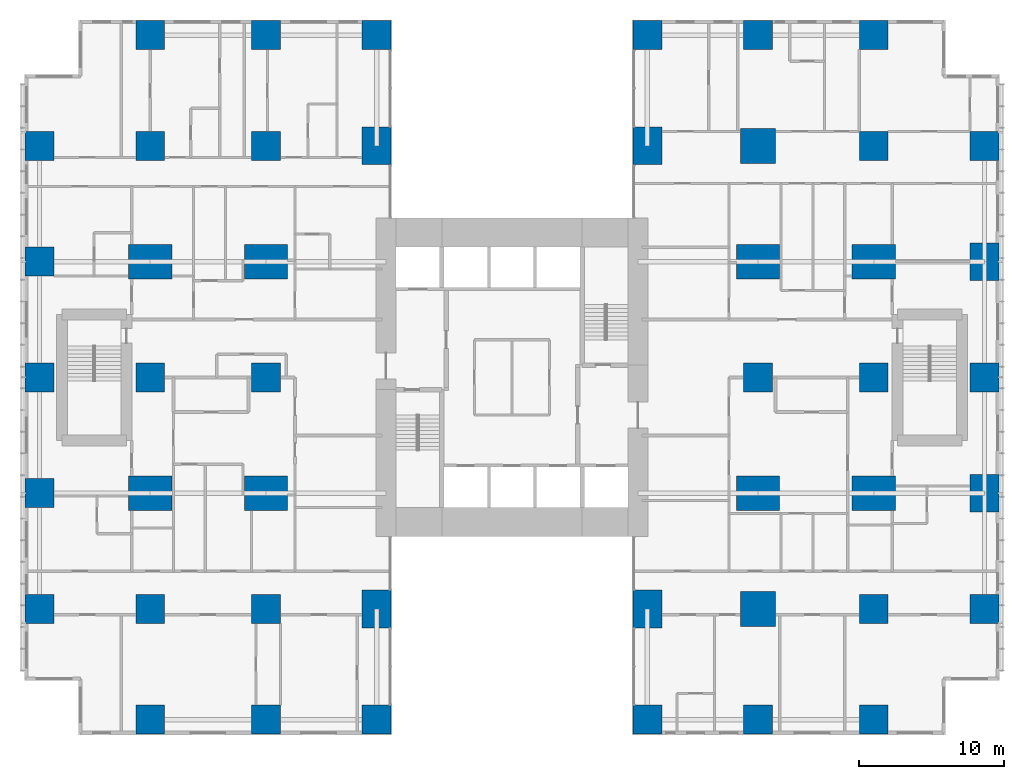
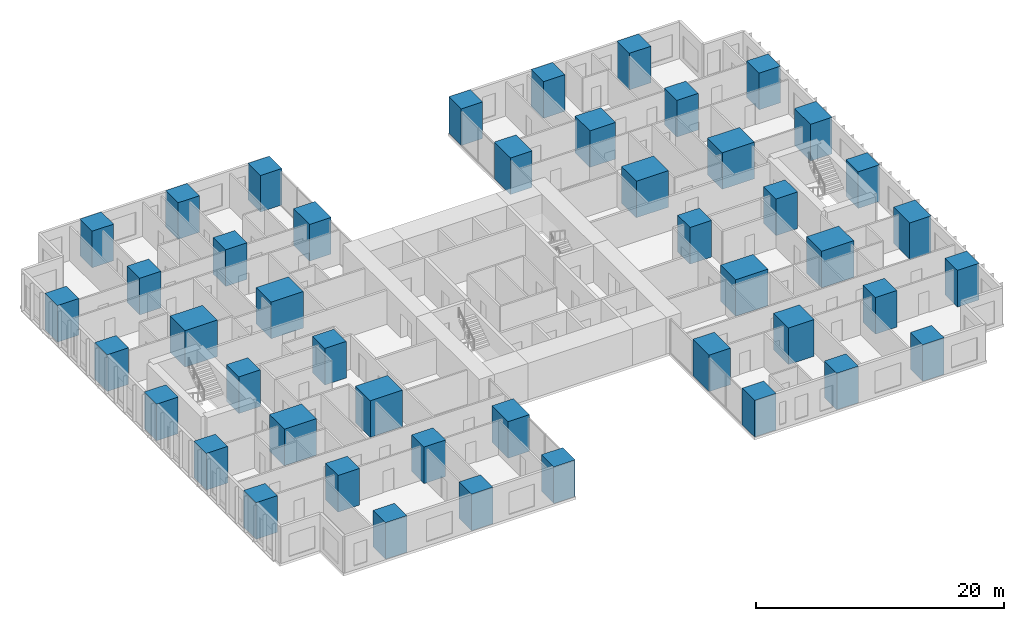
# One storey, part 1 of 20: 46 columns.
"""IFC4 building model written with IfcOpenShell, lengths in metres."""

from ifc_helpers import new_model, si_unit, direction, frame, origin, origin_2d, place, context, subcontext, project, spatial, rectangle, extrude, material, material_profile, profile_set, type_object, element, save


model = new_model("IFC4")

# Units and contexts
model_context = context("Model", 3, precision=1e-05, world=origin(), true_north=direction((0.0, 1.0)))
body_context = subcontext(model_context, "Body", "Model", "MODEL_VIEW")
ifc_project = project(units=[si_unit("LENGTHUNIT", "METRE"), si_unit("AREAUNIT", "SQUARE_METRE"), si_unit("VOLUMEUNIT", "CUBIC_METRE"), si_unit("PLANEANGLEUNIT", "RADIAN"), si_unit("MASSUNIT", "GRAM", prefix="KILO")], contexts=[model_context])

# Site, building, storey
site_placement = place(None, origin())
site = spatial("IfcSite", under=ifc_project, at=site_placement, CompositionType="ELEMENT")
building_placement = place(site_placement, origin())
building = spatial("IfcBuilding", under=site, at=building_placement, Name="Cleftline Residences", CompositionType="ELEMENT")
storey_placement = place(building_placement, frame((0.0, 0.0, 114.199951171875)))
storey = spatial("IfcBuildingStorey", under=building, at=storey_placement, Name="L29", CompositionType="ELEMENT", Elevation=114.199951171875)

# Columns
ifc_material_1 = material(Name="Concrete B70", Category="concrete")
ifc_material_profile_1 = material_profile(ifc_material_1, rectangle(XDim=2.0, YDim=2.0, at=origin_2d()))
ifc_profile_set_1 = profile_set([ifc_material_profile_1], Name="Concrete B70")
column_type_1 = type_object("IfcColumnType", Name="COLUMN RC2000X2000", PredefinedType="COLUMN", material=ifc_profile_set_1)
for number, where, z_axis, x_axis, name in (
    (1, (0.35009765625, 8.0, 0.0), (0.0, 0.0, 1.0), (1.0, 0.0, 0.0), "Column D/3"),
    (2, (0.35009765625, 16.0, 0.0), (0.0, 0.0, 1.0), (1.0, 0.0, 0.0), "Column E/3"),
    (3, (0.35009765625, 24.0, 0.0), (0.0, 0.0, 1.0), (1.0, 0.0, 0.0), "Column F/3"),
    (4, (0.35009765625, 32.0, 0.0), (0.0, 0.0, 1.0), (1.0, 0.0, 0.0), "Column G/3"),
    (5, (0.35009765625, 40.0, 0.0), (0.0, 0.0, 1.0), (1.0, 0.0, 0.0), "Column H/3"),
    (6, (8.0, 0.35009765625, 0.0), (0.0, 0.0, 1.0), (1.0, 0.0, 0.0), "Column C/4"),
    (7, (8.0, 8.0, 0.0), (0.0, 0.0, 1.0), (1.0, 0.0, 0.0), "Column D/4"),
    (8, (8.0, 24.0, 0.0), (0.0, 0.0, 1.0), (1.0, 0.0, 0.0), "Column F/4"),
    (9, (8.0, 40.0, 0.0), (0.0, 0.0, 1.0), (1.0, 0.0, 0.0), "Column H/4"),
    (10, (8.0, 47.64990234375, 0.0), (0.0, 0.0, 1.0), (1.0, 0.0, 0.0), "Column J/4"),
    (11, (16.0, 0.35009765625, 0.0), (0.0, 0.0, 1.0), (1.0, 0.0, 0.0), "Column C/5"),
    (12, (16.0, 8.0, 0.0), (0.0, 0.0, 1.0), (1.0, 0.0, 0.0), "Column D/5"),
    (13, (16.0, 24.0, 0.0), (0.0, 0.0, 1.0), (1.0, 0.0, 0.0), "Column F/5"),
    (14, (16.0, 40.0, 0.0), (0.0, 0.0, 1.0), (1.0, 0.0, 0.0), "Column H/5"),
    (15, (16.0, 47.64990234375, 0.0), (0.0, 0.0, 1.0), (1.0, 0.0, 0.0), "Column J/5"),
    (16, (23.64990234375, 0.35009765625, 0.0), (0.0, 0.0, 1.0), (1.0, 0.0, 0.0), "Column C/6"),
    (17, (23.64990234375, 47.64990234375, 0.0), (0.0, 0.0, 1.0), (1.0, 0.0, 0.0), "Column J/6"),
    (18, (42.35009765625, 0.35009765625, 0.0), (0.0, 0.0, 1.0), (1.0, 0.0, 0.0), "Column C/8"),
    (19, (42.35009765625, 47.64990234375, 0.0), (0.0, 0.0, 1.0), (1.0, 0.0, 0.0), "Column J/8"),
    (20, (50.0, 0.35009765625, 0.0), (0.0, 0.0, 1.0), (1.0, 0.0, 0.0), "Column C/9"),
    (21, (50.0, 24.0, 0.0), (0.0, 0.0, 1.0), (1.0, 0.0, 0.0), "Column F/9"),
    (22, (50.0, 47.64990234375, 0.0), (0.0, 0.0, 1.0), (1.0, 0.0, 0.0), "Column J/9"),
    (23, (58.0, 0.35009765625, 0.0), (0.0, 0.0, 1.0), (1.0, 0.0, 0.0), "Column C/10"),
    (24, (58.0, 8.0, 0.0), (0.0, 0.0, 1.0), (1.0, 0.0, 0.0), "Column D/10"),
    (25, (58.0, 24.0, 0.0), (0.0, 0.0, 1.0), (1.0, 0.0, 0.0), "Column F/10"),
    (26, (58.0, 40.0, 0.0), (0.0, 0.0, 1.0), (1.0, 0.0, 0.0), "Column H/10"),
    (27, (58.0, 47.64990234375, 0.0), (0.0, 0.0, 1.0), (1.0, 0.0, 0.0), "Column J/10"),
    (28, (65.64990234375, 8.0, 0.0), (0.0, 0.0, 1.0), (1.0, 0.0, 0.0), "Column D/11"),
    (29, (65.64990234375, 24.0, 0.0), (0.0, 0.0, 1.0), (1.0, 0.0, 0.0), "Column F/11"),
    (30, (65.64990234375, 40.0, 0.0), (0.0, 0.0, 1.0), (1.0, 0.0, 0.0), "Column H/11"),
):
    element("IfcColumn", number, at=place(storey_placement, frame(where, z_axis=z_axis, x_axis=x_axis)), inside=storey, type_object=column_type_1, Name=name, PredefinedType="COLUMN", context=body_context, shape_type="SweptSolid", body=[
        extrude(rectangle(XDim=2.0, YDim=2.0, at=origin_2d()), origin(), (0.0, 0.0, 1.0), 3.60009765625),
    ])
ifc_material_2 = material(Name="Concrete B70", Category="concrete")
ifc_material_profile_2 = material_profile(ifc_material_2, rectangle(XDim=2.0, YDim=2.60009765625, at=origin_2d()))
ifc_profile_set_2 = profile_set([ifc_material_profile_2], Name="Concrete B70")
column_type_2 = type_object("IfcColumnType", Name="COLUMN RC2000X2600", PredefinedType="COLUMN", material=ifc_profile_set_2)
for number, where, z_axis, x_axis, name in (
    (31, (23.64990234375, 8.0, 0.0), (0.0, 0.0, 1.0), (1.0, 0.0, 0.0), "Column D/6"),
    (32, (23.64990234375, 40.0, 0.0), (0.0, 0.0, 1.0), (1.0, 0.0, 0.0), "Column H/6"),
    (33, (42.35009765625, 8.0, 0.0), (0.0, 0.0, 1.0), (1.0, 0.0, 0.0), "Column D/8"),
    (34, (42.35009765625, 40.0, 0.0), (0.0, 0.0, 1.0), (1.0, 0.0, 0.0), "Column H/8"),
):
    element("IfcColumn", number, at=place(storey_placement, frame(where, z_axis=z_axis, x_axis=x_axis)), inside=storey, type_object=column_type_2, Name=name, PredefinedType="COLUMN", context=body_context, shape_type="SweptSolid", body=[
        extrude(rectangle(XDim=2.0, YDim=2.60009765625, at=origin_2d()), origin(), (0.0, 0.0, 1.0), 3.60009765625),
    ])
ifc_material_3 = material(Name="Concrete B70", Category="concrete")
ifc_material_profile_3 = material_profile(ifc_material_3, rectangle(XDim=2.39990234375, YDim=2.39990234375, at=origin_2d()))
ifc_profile_set_3 = profile_set([ifc_material_profile_3], Name="Concrete B70")
column_type_3 = type_object("IfcColumnType", Name="COLUMN RC2400X2400", PredefinedType="COLUMN", material=ifc_profile_set_3)
for number, where, z_axis, x_axis, name in (
    (35, (50.0, 8.0, 0.0), (0.0, 0.0, 1.0), (1.0, 0.0, 0.0), "Column D/9"),
    (36, (50.0, 40.0, 0.0), (0.0, 0.0, 1.0), (1.0, 0.0, 0.0), "Column H/9"),
):
    element("IfcColumn", number, at=place(storey_placement, frame(where, z_axis=z_axis, x_axis=x_axis)), inside=storey, type_object=column_type_3, Name=name, PredefinedType="COLUMN", context=body_context, shape_type="SweptSolid", body=[
        extrude(rectangle(XDim=2.39990234375, YDim=2.39990234375, at=origin_2d()), origin(), (0.0, 0.0, 1.0), 3.60009765625),
    ])
ifc_material_4 = material(Name="Concrete B70", Category="concrete")
ifc_material_profile_4 = material_profile(ifc_material_4, rectangle(XDim=2.60009765625, YDim=2.0, at=origin_2d()))
ifc_profile_set_4 = profile_set([ifc_material_profile_4], Name="Concrete B70")
column_type_4 = type_object("IfcColumnType", Name="COLUMN RC2600X2000", PredefinedType="COLUMN", material=ifc_profile_set_4)
for number, where, z_axis, x_axis, name in (
    (37, (65.64990234375, 16.0, 0.0), (0.0, 0.0, 1.0), (0.0, 1.0, 0.0), "Column E/11"),
    (38, (65.64990234375, 32.0, 0.0), (0.0, 0.0, 1.0), (0.0, 1.0, 0.0), "Column G/11"),
):
    element("IfcColumn", number, at=place(storey_placement, frame(where, z_axis=z_axis, x_axis=x_axis)), inside=storey, type_object=column_type_4, Name=name, PredefinedType="COLUMN", context=body_context, shape_type="SweptSolid", body=[
        extrude(rectangle(XDim=2.60009765625, YDim=2.0, at=origin_2d()), origin(), (0.0, 0.0, 1.0), 3.60009765625),
    ])
ifc_material_5 = material(Name="Concrete B70", Category="concrete")
ifc_material_profile_5 = material_profile(ifc_material_5, rectangle(XDim=3.0, YDim=2.39990234375, at=origin_2d()))
ifc_profile_set_5 = profile_set([ifc_material_profile_5], Name="Concrete B70")
column_type_5 = type_object("IfcColumnType", Name="COLUMN RC3000X2400", PredefinedType="COLUMN", material=ifc_profile_set_5)
for number, where, z_axis, x_axis, name in (
    (39, (8.0, 16.0, 0.0), (0.0, 0.0, 1.0), (1.0, 0.0, 0.0), "Column E/4"),
    (40, (8.0, 32.0, 0.0), (0.0, 0.0, 1.0), (1.0, 0.0, 0.0), "Column G/4"),
    (41, (16.0, 16.0, 0.0), (0.0, 0.0, 1.0), (1.0, 0.0, 0.0), "Column E/5"),
    (42, (16.0, 32.0, 0.0), (0.0, 0.0, 1.0), (1.0, 0.0, 0.0), "Column G/5"),
    (43, (50.0, 16.0, 0.0), (0.0, 0.0, 1.0), (1.0, 0.0, 0.0), "Column E/9"),
    (44, (50.0, 32.0, 0.0), (0.0, 0.0, 1.0), (1.0, 0.0, 0.0), "Column G/9"),
    (45, (58.0, 16.0, 0.0), (0.0, 0.0, 1.0), (1.0, 0.0, 0.0), "Column E/10"),
    (46, (58.0, 32.0, 0.0), (0.0, 0.0, 1.0), (1.0, 0.0, 0.0), "Column G/10"),
):
    element("IfcColumn", number, at=place(storey_placement, frame(where, z_axis=z_axis, x_axis=x_axis)), inside=storey, type_object=column_type_5, Name=name, PredefinedType="COLUMN", context=body_context, shape_type="SweptSolid", body=[
        extrude(rectangle(XDim=3.0, YDim=2.39990234375, at=origin_2d()), origin(), (0.0, 0.0, 1.0), 3.60009765625),
    ])

save(model, "model.ifc")
